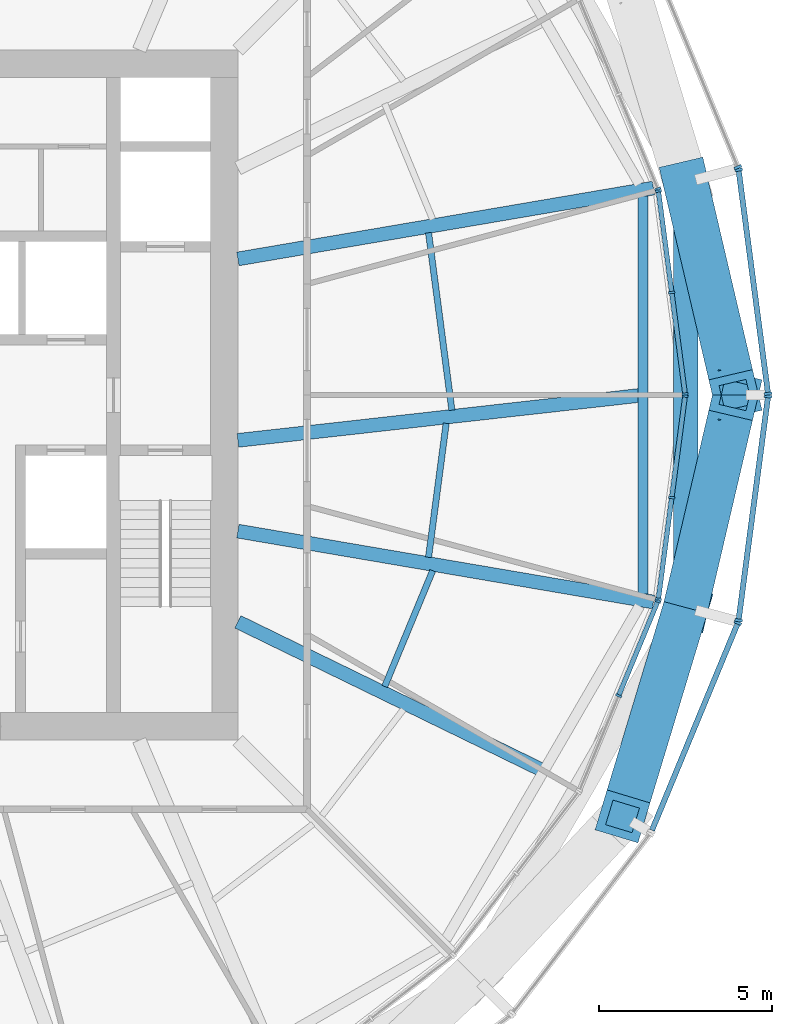
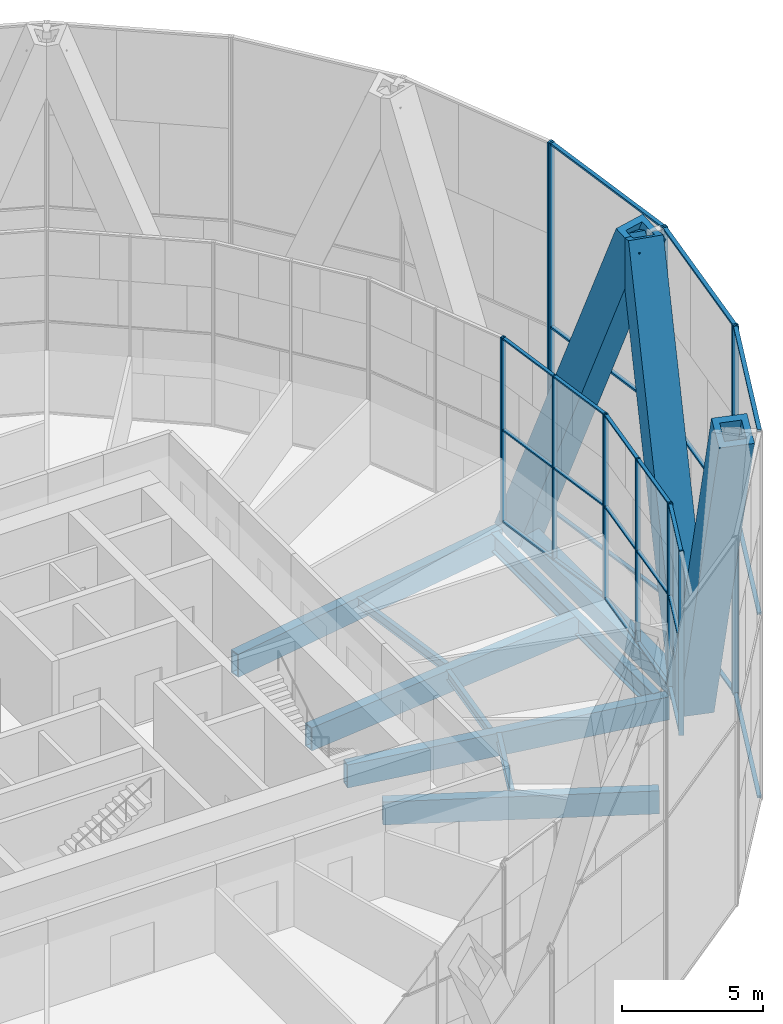
# One storey, part 5 of 22: 42 members, 9 beams, 8 elements without a shape of their own.
"""IFC4 building model written with IfcOpenShell, lengths in metres."""

from ifc_helpers import new_model, si_unit, direction, frame, origin, origin_2d, place, context, subcontext, project, spatial, rectangle, hollow_rectangle, i_section, extrude, material, material_profile, profile_set, type_object, element, aggregate, save


model = new_model("IFC4")

# Units and contexts
model_context = context("Model", 3, precision=1e-05, world=origin(), true_north=direction((0.0, 1.0)))
body_context = subcontext(model_context, "Body", "Model", "MODEL_VIEW")
ifc_project = project(units=[si_unit("LENGTHUNIT", "METRE"), si_unit("AREAUNIT", "SQUARE_METRE"), si_unit("VOLUMEUNIT", "CUBIC_METRE"), si_unit("PLANEANGLEUNIT", "RADIAN"), si_unit("MASSUNIT", "GRAM", prefix="KILO")], contexts=[model_context])

# Site, building, storey
site_placement = place(None, origin())
site = spatial("IfcSite", under=ifc_project, at=site_placement, CompositionType="ELEMENT")
building_placement = place(site_placement, origin())
building = spatial("IfcBuilding", under=site, at=building_placement, Name="Golbaran Civic Tower", CompositionType="ELEMENT")
storey_placement = place(building_placement, frame((0.0, 0.0, 37.0)))
storey = spatial("IfcBuildingStorey", under=building, at=storey_placement, Name="L08", CompositionType="ELEMENT", Elevation=37.0)

# Members
ifc_material_1 = material(Name="Steel S355", Category="steel")
ifc_material_profile_1 = material_profile(ifc_material_1, hollow_rectangle(XDim=1.300048828125, YDim=1.300048828125, WallThickness=0.25, at=origin_2d()), Name="BOX 1300x1300x250")
ifc_profile_set_1 = profile_set([ifc_material_profile_1], Name="Steel S355")
member_type_1 = type_object("IfcMemberType", Name="DIAGRID DIAGONAL BOX 1300x1300x250", PredefinedType="BRACE", material=ifc_profile_set_1)
for number, where, z_axis, x_axis, name in (
    (1, (22.974609375, 6.156005859375, -0.7099609375), (0.083783707779, -0.357826251971, 0.930021861953), (0.97366575113, 0.227980273435, 0.0), "Diagonal D01-00L L08-L12"),
    (2, (22.974609375, -6.156005859375, -0.7099609375), (0.083783707779, 0.357826251971, 0.930021861953), (-0.97366575113, 0.227980273435, 0.0), "Diagonal D01-11R L08-L12"),
    (3, (22.974609375, -6.156005859375, -0.7099609375), (-0.106361428095, -0.351780312348, 0.930020353787), (0.957204461944, -0.289412539524, 0.0), "Diagonal D01-11L L08-L12"),
):
    element("IfcMember", number, at=place(storey_placement, frame(where, z_axis=z_axis, x_axis=x_axis)), inside=storey, type_object=member_type_1, Name=name, PredefinedType="BRACE", context=body_context, shape_type="SweptSolid", body=[
        extrude(hollow_rectangle(XDim=1.300048828125, YDim=1.300048828125, WallThickness=0.25, at=origin_2d()), origin(), (0.0, 0.0, 1.0), 17.203857421875),
    ])

# Beams
ifc_material_profile_2 = material_profile(ifc_material_1, hollow_rectangle(XDim=0.699951171875, YDim=0.699951171875, WallThickness=0.080078125, at=origin_2d()), Name="BOX 700x700x80")
ifc_profile_set_2 = profile_set([ifc_material_profile_2], Name="Steel S355")
beam_type_1 = type_object("IfcBeamType", Name="DIAGRID RING TIE BOX 700x700x80", PredefinedType="BEAM", material=ifc_profile_set_2)
beam_1_placement = place(storey_placement, frame((22.974609375, -6.156005859375, -0.7099609375), z_axis=(0.0, 1.0, 0.0), x_axis=(-1.0, 0.0, 0.0)))
element("IfcBeam", 4, at=beam_1_placement, inside=storey, type_object=beam_type_1, Name="Ring tie 345.00 L08", PredefinedType="BEAM", context=body_context, shape_type="SweptSolid", body=[
    extrude(hollow_rectangle(XDim=0.699951171875, YDim=0.699951171875, WallThickness=0.080078125, at=origin_2d()), origin(), (0.0, 0.0, 1.0), 12.31201171875),
])
ifc_material_profile_3 = material_profile(ifc_material_1, i_section(OverallWidth=0.300048828125, OverallDepth=0.800048828125, WebThickness=0.017578125, FlangeThickness=0.032958984375, FilletRadius=0.030029296875, at=origin_2d()), Name="HEB 800")
ifc_profile_set_3 = profile_set([ifc_material_profile_3], Name="Steel S355")
beam_type_2 = type_object("IfcBeamType", Name="EDGE BEAM HEB 800", PredefinedType="BEAM", material=ifc_profile_set_3)
beam_2_placement = place(storey_placement, frame((21.736328125, -5.76220703125, -0.60009765625), z_axis=(0.0, 1.0, 0.0), x_axis=(-1.0, 0.0, 0.0)))
element("IfcBeam", 5, at=beam_2_placement, inside=storey, type_object=beam_type_2, Name="Edge beam 345.00 L08", PredefinedType="BEAM", context=body_context, shape_type="SweptSolid", body=[
    extrude(i_section(OverallWidth=0.300048828125, OverallDepth=0.800048828125, WebThickness=0.017578125, FlangeThickness=0.032958984375, FilletRadius=0.030029296875, at=origin_2d()), origin(), (0.0, 0.0, 1.0), 11.5244140625),
])
ifc_material_profile_4 = material_profile(ifc_material_1, i_section(OverallWidth=0.179931640625, OverallDepth=0.39990234375, WebThickness=0.008544921875, FlangeThickness=0.013427734375, FilletRadius=0.02099609375, at=origin_2d()), Name="IPE 400")
ifc_profile_set_4 = profile_set([ifc_material_profile_4], Name="Steel S355")
beam_type_3 = type_object("IfcBeamType", Name="FLOOR INFILL BEAM IPE 400", PredefinedType="BEAM", material=ifc_profile_set_4)
beam_3_placement = place(storey_placement, frame((16.200927734375, -0.438720703125, -0.39990234375), z_axis=(-0.130504444265, 0.991447724304, 0.0), x_axis=(-0.991447724304, -0.130504444265, 0.0)))
element("IfcBeam", 6, at=beam_3_placement, inside=storey, type_object=beam_type_3, Name="Infill beam 7.50 L08", PredefinedType="BEAM", context=body_context, shape_type="SweptSolid", body=[
    extrude(i_section(OverallWidth=0.179931640625, OverallDepth=0.39990234375, WebThickness=0.008544921875, FlangeThickness=0.013427734375, FilletRadius=0.02099609375, at=origin_2d()), origin(), (0.0, 0.0, 1.0), 5.185791015625),
])
beam_4_placement = place(storey_placement, frame((14.254150390625, -8.4443359375, -0.39990234375), z_axis=(0.382672312767, 0.923884138321, 0.0), x_axis=(-0.923884138321, 0.382672312767, 0.0)))
element("IfcBeam", 7, at=beam_4_placement, inside=storey, type_object=beam_type_3, Name="Infill beam 337.50 L08", PredefinedType="BEAM", context=body_context, shape_type="SweptSolid", body=[
    extrude(i_section(OverallWidth=0.179931640625, OverallDepth=0.39990234375, WebThickness=0.008544921875, FlangeThickness=0.013427734375, FilletRadius=0.02099609375, at=origin_2d()), origin(), (0.0, 0.0, 1.0), 3.6328125),
])
beam_5_placement = place(storey_placement, frame((15.524169921875, -4.70263671875, -0.39990234375), z_axis=(0.13053029912, 0.991444320681, 0.0), x_axis=(-0.991444320681, 0.13053029912, 0.0)))
element("IfcBeam", 8, at=beam_5_placement, inside=storey, type_object=beam_type_3, Name="Infill beam 352.50 L08", PredefinedType="BEAM", context=body_context, shape_type="SweptSolid", body=[
    extrude(i_section(OverallWidth=0.179931640625, OverallDepth=0.39990234375, WebThickness=0.008544921875, FlangeThickness=0.013427734375, FilletRadius=0.02099609375, at=origin_2d()), origin(), (0.0, 0.0, 1.0), 3.91650390625),
])

# Curtain wall, members
ifc_material_2 = material(Name="Aluminium and glass", Category="aluminium")
curtain_wall_type_1 = type_object("IfcCurtainWallType", Name="INNER SKIN CURTAIN WALL", PredefinedType="NOTDEFINED", material=ifc_material_2)
curtain_wall_1_placement = place(storey_placement, origin())
curtain_wall_1 = element("IfcCurtainWall", 9, at=curtain_wall_1_placement, inside=storey, type_object=curtain_wall_type_1, Name="Inner skin L08 facet 1 CW1", ObjectType="INNER SKIN", PredefinedType="USERDEFINED")
ifc_material_3 = material(Name="Aluminium", Category="aluminium")
ifc_material_profile_5 = material_profile(ifc_material_3, rectangle(XDim=0.179931640625, YDim=0.06494140625, at=origin_2d()), Name="INNER SKIN CURTAIN WALL MULLION")
ifc_profile_set_5 = profile_set([ifc_material_profile_5], Name="Aluminium")
member_type_2 = type_object("IfcMemberType", Name="INNER SKIN CURTAIN WALL MULLION", PredefinedType="MULLION", material=ifc_profile_set_5)
member_1_placement = place(storey_placement, frame((22.956787109375, 0.0322265625, 0.0), z_axis=(0.0, 0.0, 1.0), x_axis=(-0.991444861365, -0.130526192289, 0.0)))
member_1 = element("IfcMember", 10, at=member_1_placement, type_object=member_type_2, Name="CW1 mullion 1", PredefinedType="MULLION", context=body_context, shape_type="SweptSolid", body=[
    extrude(rectangle(XDim=0.179931640625, YDim=0.06494140625, at=origin_2d()), origin(), (0.0, 0.0, 1.0), 8.0),
])
member_2_placement = place(storey_placement, frame((22.56982421875, 2.971435546875, 0.0), z_axis=(0.0, 0.0, 1.0), x_axis=(-0.991444861365, -0.130526192289, 0.0)))
member_2 = element("IfcMember", 11, at=member_2_placement, type_object=member_type_2, Name="CW1 mullion 2", PredefinedType="MULLION", context=body_context, shape_type="SweptSolid", body=[
    extrude(rectangle(XDim=0.179931640625, YDim=0.06494140625, at=origin_2d()), origin(), (0.0, 0.0, 1.0), 8.0),
])
member_3_placement = place(storey_placement, frame((22.182861328125, 5.910400390625, 0.0), z_axis=(0.0, 0.0, 1.0), x_axis=(-0.991444861365, -0.130526192289, 0.0)))
member_3 = element("IfcMember", 12, at=member_3_placement, type_object=member_type_2, Name="CW1 mullion 3", PredefinedType="MULLION", context=body_context, shape_type="SweptSolid", body=[
    extrude(rectangle(XDim=0.179931640625, YDim=0.06494140625, at=origin_2d()), origin(), (0.0, 0.0, 1.0), 8.0),
])

# Curtain wall, member
curtain_wall_2_placement = place(storey_placement, origin())
curtain_wall_2 = element("IfcCurtainWall", 13, at=curtain_wall_2_placement, inside=storey, type_object=curtain_wall_type_1, Name="Inner skin L08 facet 2 CW1", ObjectType="INNER SKIN", PredefinedType="USERDEFINED")
member_4_placement = place(storey_placement, frame((22.166259765625, 5.97265625, 0.0), z_axis=(0.0, 0.0, 1.0), x_axis=(-0.923879532511, -0.382683432365, 0.0)))
member_4 = element("IfcMember", 14, at=member_4_placement, type_object=member_type_2, Name="CW1 mullion 1", PredefinedType="MULLION", context=body_context, shape_type="SweptSolid", body=[
    extrude(rectangle(XDim=0.179931640625, YDim=0.06494140625, at=origin_2d()), origin(), (0.0, 0.0, 1.0), 8.0),
])
aggregate(curtain_wall_2, [member_4])

# Curtain wall, members
curtain_wall_3_placement = place(storey_placement, origin())
curtain_wall_3 = element("IfcCurtainWall", 15, at=curtain_wall_3_placement, inside=storey, type_object=curtain_wall_type_1, Name="Inner skin L08 facet 23 CW1", ObjectType="INNER SKIN", PredefinedType="USERDEFINED")
member_5_placement = place(storey_placement, frame((21.03173828125, -8.711669921875, 0.0), z_axis=(0.0, 0.0, 1.0), x_axis=(-0.923879532511, 0.382683432365, 0.0)))
member_5 = element("IfcMember", 16, at=member_5_placement, type_object=member_type_2, Name="CW1 mullion 2", PredefinedType="MULLION", context=body_context, shape_type="SweptSolid", body=[
    extrude(rectangle(XDim=0.179931640625, YDim=0.06494140625, at=origin_2d()), origin(), (0.0, 0.0, 1.0), 8.0),
])
member_6_placement = place(storey_placement, frame((22.166259765625, -5.97265625, 0.0), z_axis=(0.0, 0.0, 1.0), x_axis=(-0.923879532511, 0.382683432365, 0.0)))
member_6 = element("IfcMember", 17, at=member_6_placement, type_object=member_type_2, Name="CW1 mullion 3", PredefinedType="MULLION", context=body_context, shape_type="SweptSolid", body=[
    extrude(rectangle(XDim=0.179931640625, YDim=0.06494140625, at=origin_2d()), origin(), (0.0, 0.0, 1.0), 8.0),
])

curtain_wall_4_placement = place(storey_placement, origin())
curtain_wall_4 = element("IfcCurtainWall", 18, at=curtain_wall_4_placement, inside=storey, type_object=curtain_wall_type_1, Name="Inner skin L08 facet 24 CW1", ObjectType="INNER SKIN", PredefinedType="USERDEFINED")
member_7_placement = place(storey_placement, frame((22.182861328125, -5.910400390625, 0.0), z_axis=(0.0, 0.0, 1.0), x_axis=(-0.991444861365, 0.130526192289, 0.0)))
member_7 = element("IfcMember", 19, at=member_7_placement, type_object=member_type_2, Name="CW1 mullion 1", PredefinedType="MULLION", context=body_context, shape_type="SweptSolid", body=[
    extrude(rectangle(XDim=0.179931640625, YDim=0.06494140625, at=origin_2d()), origin(), (0.0, 0.0, 1.0), 8.0),
])
member_8_placement = place(storey_placement, frame((22.56982421875, -2.971435546875, 0.0), z_axis=(0.0, 0.0, 1.0), x_axis=(-0.991444861365, 0.130526192289, 0.0)))
member_8 = element("IfcMember", 20, at=member_8_placement, type_object=member_type_2, Name="CW1 mullion 2", PredefinedType="MULLION", context=body_context, shape_type="SweptSolid", body=[
    extrude(rectangle(XDim=0.179931640625, YDim=0.06494140625, at=origin_2d()), origin(), (0.0, 0.0, 1.0), 8.0),
])
member_9_placement = place(storey_placement, frame((22.956787109375, -0.0322265625, 0.0), z_axis=(0.0, 0.0, 1.0), x_axis=(-0.991444861365, 0.130526192289, 0.0)))
member_9 = element("IfcMember", 21, at=member_9_placement, type_object=member_type_2, Name="CW1 mullion 3", PredefinedType="MULLION", context=body_context, shape_type="SweptSolid", body=[
    extrude(rectangle(XDim=0.179931640625, YDim=0.06494140625, at=origin_2d()), origin(), (0.0, 0.0, 1.0), 8.0),
])

# Member
ifc_material_profile_6 = material_profile(ifc_material_3, rectangle(XDim=0.139892578125, YDim=0.06494140625, at=origin_2d()), Name="INNER SKIN CURTAIN WALL TRANSOM")
ifc_profile_set_6 = profile_set([ifc_material_profile_6], Name="Aluminium")
member_type_3 = type_object("IfcMemberType", Name="INNER SKIN CURTAIN WALL TRANSOM", PredefinedType="USERDEFINED", material=ifc_profile_set_6)
member_10_placement = place(storey_placement, frame((22.95263671875, 0.064453125, 0.032470703125), z_axis=(-0.130591727785, 0.991436231249, 0.0), x_axis=(-0.991436231249, -0.130591727785, 0.0)))
member_10 = element("IfcMember", 22, at=member_10_placement, type_object=member_type_3, Name="CW1 transom 1.1", ObjectType="TRANSOM", PredefinedType="USERDEFINED", context=body_context, shape_type="SweptSolid", body=[
    extrude(rectangle(XDim=0.139892578125, YDim=0.06494140625, at=origin_2d()), origin(), (0.0, 0.0, 1.0), 2.899658203125),
])

member_11_placement = place(storey_placement, frame((22.95263671875, 0.064453125, 4.0), z_axis=(-0.130591727785, 0.991436231249, 0.0), x_axis=(-0.991436231249, -0.130591727785, 0.0)))
member_11 = element("IfcMember", 23, at=member_11_placement, type_object=member_type_3, Name="CW1 transom 1.2", ObjectType="TRANSOM", PredefinedType="USERDEFINED", context=body_context, shape_type="SweptSolid", body=[
    extrude(rectangle(XDim=0.139892578125, YDim=0.06494140625, at=origin_2d()), origin(), (0.0, 0.0, 1.0), 2.899658203125),
])

member_12_placement = place(storey_placement, frame((22.95263671875, 0.064453125, 7.967529296875), z_axis=(-0.130591727785, 0.991436231249, 0.0), x_axis=(-0.991436231249, -0.130591727785, 0.0)))
member_12 = element("IfcMember", 24, at=member_12_placement, type_object=member_type_3, Name="CW1 transom 1.3", ObjectType="TRANSOM", PredefinedType="USERDEFINED", context=body_context, shape_type="SweptSolid", body=[
    extrude(rectangle(XDim=0.139892578125, YDim=0.06494140625, at=origin_2d()), origin(), (0.0, 0.0, 1.0), 2.899658203125),
])

member_13_placement = place(storey_placement, frame((22.565673828125, 3.003662109375, 0.032470703125), z_axis=(-0.130591727785, 0.991436231249, 0.0), x_axis=(-0.991436231249, -0.130591727785, 0.0)))
member_13 = element("IfcMember", 25, at=member_13_placement, type_object=member_type_3, Name="CW1 transom 2.1", ObjectType="TRANSOM", PredefinedType="USERDEFINED", context=body_context, shape_type="SweptSolid", body=[
    extrude(rectangle(XDim=0.139892578125, YDim=0.06494140625, at=origin_2d()), origin(), (0.0, 0.0, 1.0), 2.899658203125),
])

member_14_placement = place(storey_placement, frame((22.565673828125, 3.003662109375, 4.0), z_axis=(-0.130591727785, 0.991436231249, 0.0), x_axis=(-0.991436231249, -0.130591727785, 0.0)))
member_14 = element("IfcMember", 26, at=member_14_placement, type_object=member_type_3, Name="CW1 transom 2.2", ObjectType="TRANSOM", PredefinedType="USERDEFINED", context=body_context, shape_type="SweptSolid", body=[
    extrude(rectangle(XDim=0.139892578125, YDim=0.06494140625, at=origin_2d()), origin(), (0.0, 0.0, 1.0), 2.899658203125),
])

member_15_placement = place(storey_placement, frame((22.565673828125, 3.003662109375, 7.967529296875), z_axis=(-0.130591727785, 0.991436231249, 0.0), x_axis=(-0.991436231249, -0.130591727785, 0.0)))
member_15 = element("IfcMember", 27, at=member_15_placement, type_object=member_type_3, Name="CW1 transom 2.3", ObjectType="TRANSOM", PredefinedType="USERDEFINED", context=body_context, shape_type="SweptSolid", body=[
    extrude(rectangle(XDim=0.139892578125, YDim=0.06494140625, at=origin_2d()), origin(), (0.0, 0.0, 1.0), 2.899658203125),
])

aggregate(curtain_wall_1, [member_1, member_2, member_3, member_10, member_11, member_12, member_13, member_14, member_15])

member_16_placement = place(storey_placement, frame((21.044189453125, -8.681640625, 0.032470703125), z_axis=(0.382671544279, 0.923884456628, 0.0), x_axis=(-0.923884456628, 0.382671544279, 0.0)))
member_16 = element("IfcMember", 28, at=member_16_placement, type_object=member_type_3, Name="CW1 transom 2.1", ObjectType="TRANSOM", PredefinedType="USERDEFINED", context=body_context, shape_type="SweptSolid", body=[
    extrude(rectangle(XDim=0.139892578125, YDim=0.06494140625, at=origin_2d()), origin(), (0.0, 0.0, 1.0), 2.899658203125),
])

member_17_placement = place(storey_placement, frame((21.044189453125, -8.681640625, 4.0), z_axis=(0.382671544279, 0.923884456628, 0.0), x_axis=(-0.923884456628, 0.382671544279, 0.0)))
member_17 = element("IfcMember", 29, at=member_17_placement, type_object=member_type_3, Name="CW1 transom 2.2", ObjectType="TRANSOM", PredefinedType="USERDEFINED", context=body_context, shape_type="SweptSolid", body=[
    extrude(rectangle(XDim=0.139892578125, YDim=0.06494140625, at=origin_2d()), origin(), (0.0, 0.0, 1.0), 2.899658203125),
])

member_18_placement = place(storey_placement, frame((21.044189453125, -8.681640625, 7.967529296875), z_axis=(0.382671544279, 0.923884456628, 0.0), x_axis=(-0.923884456628, 0.382671544279, 0.0)))
member_18 = element("IfcMember", 30, at=member_18_placement, type_object=member_type_3, Name="CW1 transom 2.3", ObjectType="TRANSOM", PredefinedType="USERDEFINED", context=body_context, shape_type="SweptSolid", body=[
    extrude(rectangle(XDim=0.139892578125, YDim=0.06494140625, at=origin_2d()), origin(), (0.0, 0.0, 1.0), 2.899658203125),
])

aggregate(curtain_wall_3, [member_5, member_6, member_16, member_17, member_18])

member_19_placement = place(storey_placement, frame((22.18701171875, -5.87841796875, 0.032470703125), z_axis=(0.130591727785, 0.991436231249, 0.0), x_axis=(-0.991436231249, 0.130591727785, 0.0)))
member_19 = element("IfcMember", 31, at=member_19_placement, type_object=member_type_3, Name="CW1 transom 1.1", ObjectType="TRANSOM", PredefinedType="USERDEFINED", context=body_context, shape_type="SweptSolid", body=[
    extrude(rectangle(XDim=0.139892578125, YDim=0.06494140625, at=origin_2d()), origin(), (0.0, 0.0, 1.0), 2.899658203125),
])

member_20_placement = place(storey_placement, frame((22.18701171875, -5.87841796875, 4.0), z_axis=(0.130591727785, 0.991436231249, 0.0), x_axis=(-0.991436231249, 0.130591727785, 0.0)))
member_20 = element("IfcMember", 32, at=member_20_placement, type_object=member_type_3, Name="CW1 transom 1.2", ObjectType="TRANSOM", PredefinedType="USERDEFINED", context=body_context, shape_type="SweptSolid", body=[
    extrude(rectangle(XDim=0.139892578125, YDim=0.06494140625, at=origin_2d()), origin(), (0.0, 0.0, 1.0), 2.899658203125),
])

member_21_placement = place(storey_placement, frame((22.18701171875, -5.87841796875, 7.967529296875), z_axis=(0.130591727785, 0.991436231249, 0.0), x_axis=(-0.991436231249, 0.130591727785, 0.0)))
member_21 = element("IfcMember", 33, at=member_21_placement, type_object=member_type_3, Name="CW1 transom 1.3", ObjectType="TRANSOM", PredefinedType="USERDEFINED", context=body_context, shape_type="SweptSolid", body=[
    extrude(rectangle(XDim=0.139892578125, YDim=0.06494140625, at=origin_2d()), origin(), (0.0, 0.0, 1.0), 2.899658203125),
])

member_22_placement = place(storey_placement, frame((22.573974609375, -2.939208984375, 0.032470703125), z_axis=(0.130591727785, 0.991436231249, 0.0), x_axis=(-0.991436231249, 0.130591727785, 0.0)))
member_22 = element("IfcMember", 34, at=member_22_placement, type_object=member_type_3, Name="CW1 transom 2.1", ObjectType="TRANSOM", PredefinedType="USERDEFINED", context=body_context, shape_type="SweptSolid", body=[
    extrude(rectangle(XDim=0.139892578125, YDim=0.06494140625, at=origin_2d()), origin(), (0.0, 0.0, 1.0), 2.899658203125),
])

member_23_placement = place(storey_placement, frame((22.573974609375, -2.939208984375, 4.0), z_axis=(0.130591727785, 0.991436231249, 0.0), x_axis=(-0.991436231249, 0.130591727785, 0.0)))
member_23 = element("IfcMember", 35, at=member_23_placement, type_object=member_type_3, Name="CW1 transom 2.2", ObjectType="TRANSOM", PredefinedType="USERDEFINED", context=body_context, shape_type="SweptSolid", body=[
    extrude(rectangle(XDim=0.139892578125, YDim=0.06494140625, at=origin_2d()), origin(), (0.0, 0.0, 1.0), 2.899658203125),
])

member_24_placement = place(storey_placement, frame((22.573974609375, -2.939208984375, 7.967529296875), z_axis=(0.130591727785, 0.991436231249, 0.0), x_axis=(-0.991436231249, 0.130591727785, 0.0)))
member_24 = element("IfcMember", 36, at=member_24_placement, type_object=member_type_3, Name="CW1 transom 2.3", ObjectType="TRANSOM", PredefinedType="USERDEFINED", context=body_context, shape_type="SweptSolid", body=[
    extrude(rectangle(XDim=0.139892578125, YDim=0.06494140625, at=origin_2d()), origin(), (0.0, 0.0, 1.0), 2.899658203125),
])

aggregate(curtain_wall_4, [member_7, member_8, member_9, member_19, member_20, member_21, member_22, member_23, member_24])

# Curtain wall, members
curtain_wall_type_2 = type_object("IfcCurtainWallType", Name="OUTER SKIN TERRACOTTA SCREEN", PredefinedType="NOTDEFINED", material=ifc_material_2)
curtain_wall_5_placement = place(storey_placement, origin())
curtain_wall_5 = element("IfcCurtainWall", 37, at=curtain_wall_5_placement, inside=storey, type_object=curtain_wall_type_2, Name="Outer skin L08 facet 1 CW3", ObjectType="OUTER SKIN", PredefinedType="USERDEFINED")
ifc_material_profile_7 = material_profile(ifc_material_3, rectangle(XDim=0.219970703125, YDim=0.080078125, at=origin_2d()), Name="OUTER SKIN TERRACOTTA SCREEN MULLION")
ifc_profile_set_7 = profile_set([ifc_material_profile_7], Name="Aluminium")
member_type_4 = type_object("IfcMemberType", Name="OUTER SKIN TERRACOTTA SCREEN MULLION", PredefinedType="MULLION", material=ifc_profile_set_7)
member_25_placement = place(storey_placement, frame((25.36083984375, 0.03955078125, -0.7099609375), z_axis=(0.0, 0.0, 1.0), x_axis=(-0.991444861381, -0.130526192168, 0.0)))
member_25 = element("IfcMember", 38, at=member_25_placement, type_object=member_type_4, Name="CW3 mullion 1", PredefinedType="MULLION", context=body_context, shape_type="SweptSolid", body=[
    extrude(rectangle(XDim=0.219970703125, YDim=0.080078125, at=origin_2d()), origin(), (0.0, 0.0, 1.0), 16.0),
])
member_26_placement = place(storey_placement, frame((24.5068359375, 6.525634765625, -0.7099609375), z_axis=(0.0, 0.0, 1.0), x_axis=(-0.991444861381, -0.130526192168, 0.0)))
member_26 = element("IfcMember", 39, at=member_26_placement, type_object=member_type_4, Name="CW3 mullion 2", PredefinedType="MULLION", context=body_context, shape_type="SweptSolid", body=[
    extrude(rectangle(XDim=0.219970703125, YDim=0.080078125, at=origin_2d()), origin(), (0.0, 0.0, 1.0), 16.0),
])

# Curtain wall, member
curtain_wall_6_placement = place(storey_placement, origin())
curtain_wall_6 = element("IfcCurtainWall", 40, at=curtain_wall_6_placement, inside=storey, type_object=curtain_wall_type_2, Name="Outer skin L08 facet 2 CW3", ObjectType="OUTER SKIN", PredefinedType="USERDEFINED")
member_27_placement = place(storey_placement, frame((24.486328125, 6.60205078125, -0.7099609375), z_axis=(0.0, 0.0, 1.0), x_axis=(-0.923879532471, -0.382683432462, 0.0)))
member_27 = element("IfcMember", 41, at=member_27_placement, type_object=member_type_4, Name="CW3 mullion 1", PredefinedType="MULLION", context=body_context, shape_type="SweptSolid", body=[
    extrude(rectangle(XDim=0.219970703125, YDim=0.080078125, at=origin_2d()), origin(), (0.0, 0.0, 1.0), 16.0),
])
aggregate(curtain_wall_6, [member_27])

curtain_wall_7_placement = place(storey_placement, origin())
curtain_wall_7 = element("IfcCurtainWall", 42, at=curtain_wall_7_placement, inside=storey, type_object=curtain_wall_type_2, Name="Outer skin L08 facet 23 CW3", ObjectType="OUTER SKIN", PredefinedType="USERDEFINED")
member_28_placement = place(storey_placement, frame((24.486328125, -6.60205078125, -0.7099609375), z_axis=(0.0, 0.0, 1.0), x_axis=(-0.923879532471, 0.382683432462, 0.0)))
member_28 = element("IfcMember", 43, at=member_28_placement, type_object=member_type_4, Name="CW3 mullion 2", PredefinedType="MULLION", context=body_context, shape_type="SweptSolid", body=[
    extrude(rectangle(XDim=0.219970703125, YDim=0.080078125, at=origin_2d()), origin(), (0.0, 0.0, 1.0), 16.0),
])

# Curtain wall, members
curtain_wall_8_placement = place(storey_placement, origin())
curtain_wall_8 = element("IfcCurtainWall", 44, at=curtain_wall_8_placement, inside=storey, type_object=curtain_wall_type_2, Name="Outer skin L08 facet 24 CW3", ObjectType="OUTER SKIN", PredefinedType="USERDEFINED")
member_29_placement = place(storey_placement, frame((24.5068359375, -6.525634765625, -0.7099609375), z_axis=(0.0, 0.0, 1.0), x_axis=(-0.991444861381, 0.130526192168, 0.0)))
member_29 = element("IfcMember", 45, at=member_29_placement, type_object=member_type_4, Name="CW3 mullion 1", PredefinedType="MULLION", context=body_context, shape_type="SweptSolid", body=[
    extrude(rectangle(XDim=0.219970703125, YDim=0.080078125, at=origin_2d()), origin(), (0.0, 0.0, 1.0), 16.0),
])
member_30_placement = place(storey_placement, frame((25.36083984375, -0.03955078125, -0.7099609375), z_axis=(0.0, 0.0, 1.0), x_axis=(-0.991444861381, 0.130526192168, 0.0)))
member_30 = element("IfcMember", 46, at=member_30_placement, type_object=member_type_4, Name="CW3 mullion 2", PredefinedType="MULLION", context=body_context, shape_type="SweptSolid", body=[
    extrude(rectangle(XDim=0.219970703125, YDim=0.080078125, at=origin_2d()), origin(), (0.0, 0.0, 1.0), 16.0),
])

# Member
ifc_material_profile_8 = material_profile(ifc_material_3, rectangle(XDim=0.159912109375, YDim=0.080078125, at=origin_2d()), Name="OUTER SKIN TERRACOTTA SCREEN TRANSOM")
ifc_profile_set_8 = profile_set([ifc_material_profile_8], Name="Aluminium")
member_type_5 = type_object("IfcMemberType", Name="OUTER SKIN TERRACOTTA SCREEN TRANSOM", PredefinedType="USERDEFINED", material=ifc_profile_set_8)
member_31_placement = place(storey_placement, frame((25.35546875, 0.079345703125, -0.669921875), z_axis=(-0.130500448024, 0.991448250321, 0.0), x_axis=(-0.991448250321, -0.130500448024, 0.0)))
member_31 = element("IfcMember", 47, at=member_31_placement, type_object=member_type_5, Name="CW3 transom 1.1", ObjectType="TRANSOM", PredefinedType="USERDEFINED", context=body_context, shape_type="SweptSolid", body=[
    extrude(rectangle(XDim=0.159912109375, YDim=0.080078125, at=origin_2d()), origin(), (0.0, 0.0, 1.0), 6.461669921875),
])

member_32_placement = place(storey_placement, frame((25.35546875, 0.079345703125, 7.2900390625), z_axis=(-0.130500448024, 0.991448250321, 0.0), x_axis=(-0.991448250321, -0.130500448024, 0.0)))
member_32 = element("IfcMember", 48, at=member_32_placement, type_object=member_type_5, Name="CW3 transom 1.2", ObjectType="TRANSOM", PredefinedType="USERDEFINED", context=body_context, shape_type="SweptSolid", body=[
    extrude(rectangle(XDim=0.159912109375, YDim=0.080078125, at=origin_2d()), origin(), (0.0, 0.0, 1.0), 6.461669921875),
])

member_33_placement = place(storey_placement, frame((25.35546875, 0.079345703125, 15.25), z_axis=(-0.130500448024, 0.991448250321, 0.0), x_axis=(-0.991448250321, -0.130500448024, 0.0)))
member_33 = element("IfcMember", 49, at=member_33_placement, type_object=member_type_5, Name="CW3 transom 1.3", ObjectType="TRANSOM", PredefinedType="USERDEFINED", context=body_context, shape_type="SweptSolid", body=[
    extrude(rectangle(XDim=0.159912109375, YDim=0.080078125, at=origin_2d()), origin(), (0.0, 0.0, 1.0), 6.461669921875),
])

aggregate(curtain_wall_5, [member_25, member_26, member_31, member_32, member_33])

member_34_placement = place(storey_placement, frame((21.998291015625, -12.609130859375, -0.669921875), z_axis=(0.382658786092, 0.923889740947, 0.0), x_axis=(-0.923889740947, 0.382658786092, 0.0)))
member_34 = element("IfcMember", 50, at=member_34_placement, type_object=member_type_5, Name="CW3 transom 1.1", ObjectType="TRANSOM", PredefinedType="USERDEFINED", context=body_context, shape_type="SweptSolid", body=[
    extrude(rectangle(XDim=0.159912109375, YDim=0.080078125, at=origin_2d()), origin(), (0.0, 0.0, 1.0), 6.461669921875),
])

member_35_placement = place(storey_placement, frame((21.998291015625, -12.609130859375, 7.2900390625), z_axis=(0.382658786092, 0.923889740947, 0.0), x_axis=(-0.923889740947, 0.382658786092, 0.0)))
member_35 = element("IfcMember", 51, at=member_35_placement, type_object=member_type_5, Name="CW3 transom 1.2", ObjectType="TRANSOM", PredefinedType="USERDEFINED", context=body_context, shape_type="SweptSolid", body=[
    extrude(rectangle(XDim=0.159912109375, YDim=0.080078125, at=origin_2d()), origin(), (0.0, 0.0, 1.0), 6.461669921875),
])

member_36_placement = place(storey_placement, frame((21.998291015625, -12.609130859375, 15.25), z_axis=(0.382658786092, 0.923889740947, 0.0), x_axis=(-0.923889740947, 0.382658786092, 0.0)))
member_36 = element("IfcMember", 52, at=member_36_placement, type_object=member_type_5, Name="CW3 transom 1.3", ObjectType="TRANSOM", PredefinedType="USERDEFINED", context=body_context, shape_type="SweptSolid", body=[
    extrude(rectangle(XDim=0.159912109375, YDim=0.080078125, at=origin_2d()), origin(), (0.0, 0.0, 1.0), 6.461669921875),
])

aggregate(curtain_wall_7, [member_28, member_34, member_35, member_36])

member_37_placement = place(storey_placement, frame((24.51220703125, -6.48583984375, -0.669921875), z_axis=(0.130500448024, 0.991448250321, 0.0), x_axis=(-0.991448250321, 0.130500448024, 0.0)))
member_37 = element("IfcMember", 53, at=member_37_placement, type_object=member_type_5, Name="CW3 transom 1.1", ObjectType="TRANSOM", PredefinedType="USERDEFINED", context=body_context, shape_type="SweptSolid", body=[
    extrude(rectangle(XDim=0.159912109375, YDim=0.080078125, at=origin_2d()), origin(), (0.0, 0.0, 1.0), 6.461669921875),
])

member_38_placement = place(storey_placement, frame((24.51220703125, -6.48583984375, 7.2900390625), z_axis=(0.130500448024, 0.991448250321, 0.0), x_axis=(-0.991448250321, 0.130500448024, 0.0)))
member_38 = element("IfcMember", 54, at=member_38_placement, type_object=member_type_5, Name="CW3 transom 1.2", ObjectType="TRANSOM", PredefinedType="USERDEFINED", context=body_context, shape_type="SweptSolid", body=[
    extrude(rectangle(XDim=0.159912109375, YDim=0.080078125, at=origin_2d()), origin(), (0.0, 0.0, 1.0), 6.461669921875),
])

member_39_placement = place(storey_placement, frame((24.51220703125, -6.48583984375, 15.25), z_axis=(0.130500448024, 0.991448250321, 0.0), x_axis=(-0.991448250321, 0.130500448024, 0.0)))
member_39 = element("IfcMember", 55, at=member_39_placement, type_object=member_type_5, Name="CW3 transom 1.3", ObjectType="TRANSOM", PredefinedType="USERDEFINED", context=body_context, shape_type="SweptSolid", body=[
    extrude(rectangle(XDim=0.159912109375, YDim=0.080078125, at=origin_2d()), origin(), (0.0, 0.0, 1.0), 6.461669921875),
])

aggregate(curtain_wall_8, [member_29, member_30, member_37, member_38, member_39])

# Beams
ifc_material_profile_9 = material_profile(ifc_material_1, hollow_rectangle(XDim=0.39990234375, YDim=1.0, WallThickness=0.050048828125, at=origin_2d()), Name="BOX 1000x400x50")
ifc_profile_set_9 = profile_set([ifc_material_profile_9], Name="Steel S355")
beam_type_4 = type_object("IfcBeamType", Name="RADIAL FLOOR BEAM BOX 1000x400x50", PredefinedType="BEAM", material=ifc_profile_set_9)
for number, where, z_axis, x_axis, name in (
    (56, (10.0, 3.94287109375, -0.7099609375), (0.985761730015, 0.168148183573, 0.0), (-0.168148183573, 0.985761730015, 0.0), "Radial beam 15.00 L08"),
    (57, (10.0, -3.94287109375, -0.7099609375), (0.985761730015, -0.168148183573, 0.0), (0.168148183573, 0.985761730015, 0.0), "Radial beam 345.00 L08"),
):
    element("IfcBeam", number, at=place(storey_placement, frame(where, z_axis=z_axis, x_axis=x_axis)), inside=storey, type_object=beam_type_4, Name=name, PredefinedType="BEAM", context=body_context, shape_type="SweptSolid", body=[
        extrude(hollow_rectangle(XDim=0.39990234375, YDim=1.0, WallThickness=0.050048828125, at=origin_2d()), origin(), (0.0, 0.0, 1.0), 12.213623046875),
    ])
ifc_material_profile_10 = material_profile(ifc_material_1, hollow_rectangle(XDim=0.39990234375, YDim=1.0, WallThickness=0.0400390625, at=origin_2d()), Name="BOX 1000x400x40")
ifc_profile_set_10 = profile_set([ifc_material_profile_10], Name="Steel S355")
beam_type_5 = type_object("IfcBeamType", Name="SECONDARY FLOOR BEAM BOX 1000x400x40", PredefinedType="BEAM", material=ifc_profile_set_10)
beam_6_placement = place(storey_placement, frame((10.0, -1.314208984375, -0.7099609375), z_axis=(0.993788829645, 0.111282352928, 0.0), x_axis=(-0.111282352928, 0.993788829645, 0.0)))
element("IfcBeam", 58, at=beam_6_placement, inside=storey, type_object=beam_type_5, Name="Secondary beam 0.00 L08", PredefinedType="BEAM", context=body_context, shape_type="SweptSolid", body=[
    extrude(hollow_rectangle(XDim=0.39990234375, YDim=1.0, WallThickness=0.0400390625, at=origin_2d()), origin(), (0.0, 0.0, 1.0), 11.8095703125),
])
beam_7_placement = place(storey_placement, frame((10.0, -6.571533203125, -0.7099609375), z_axis=(0.898941617936, -0.438068450751, 0.0), x_axis=(0.438068450751, 0.898941617936, 0.0)))
element("IfcBeam", 59, at=beam_7_placement, inside=storey, type_object=beam_type_5, Name="Secondary beam 330.00 L08", PredefinedType="BEAM", context=body_context, shape_type="SweptSolid", body=[
    extrude(hollow_rectangle(XDim=0.39990234375, YDim=1.0, WallThickness=0.0400390625, at=origin_2d()), origin(), (0.0, 0.0, 1.0), 9.85986328125),
])

save(model, "model.ifc")
